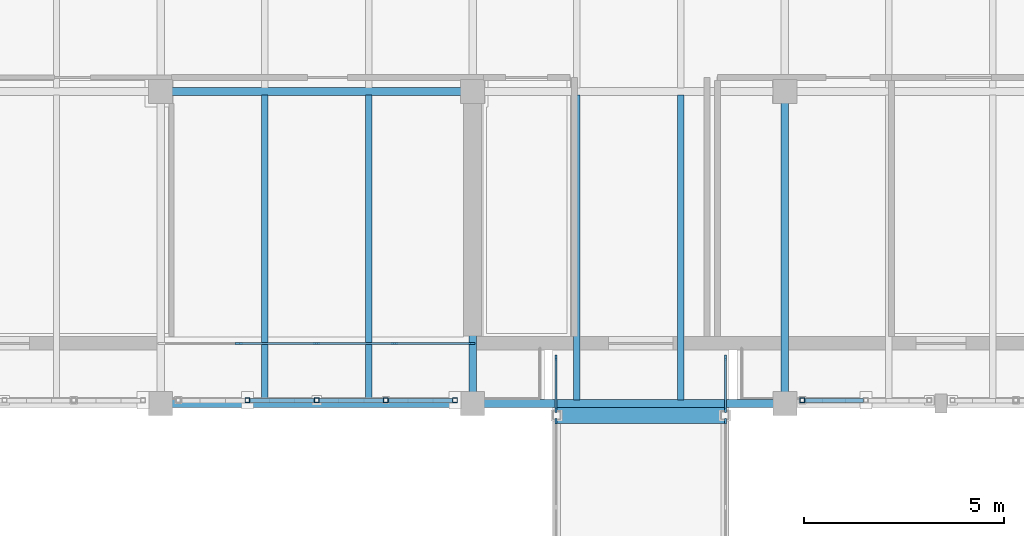
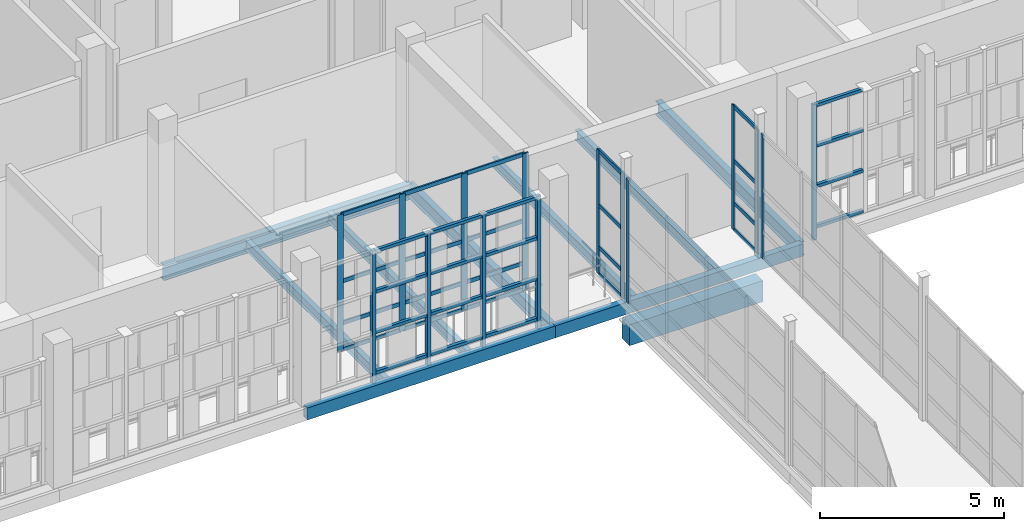
# One storey, part 54 of 138: 51 members, 10 beams, 5 elements without a shape of their own.
"""IFC4 building model written with IfcOpenShell, lengths in metres."""

from ifc_helpers import new_model, si_unit, direction, frame, origin, origin_2d, place, context, subcontext, project, spatial, rectangle, hollow_rectangle, i_section, extrude, material, layer, layer_set, material_profile, profile_set, type_object, element, aggregate, save


model = new_model("IFC4")

# Units and contexts
model_context = context("Model", 3, precision=1e-05, world=origin(), true_north=direction((0.0, 1.0)))
body_context = subcontext(model_context, "Body", "Model", "MODEL_VIEW")
ifc_project = project(units=[si_unit("LENGTHUNIT", "METRE"), si_unit("AREAUNIT", "SQUARE_METRE"), si_unit("VOLUMEUNIT", "CUBIC_METRE"), si_unit("PLANEANGLEUNIT", "RADIAN"), si_unit("MASSUNIT", "GRAM", prefix="KILO")], contexts=[model_context])

# Site, building, storey
site_placement = place(None, origin())
site = spatial("IfcSite", under=ifc_project, at=site_placement, CompositionType="ELEMENT")
building_placement = place(site_placement, origin())
building = spatial("IfcBuilding", under=site, at=building_placement, Name="Celorna Specialist Clinic", CompositionType="ELEMENT")
storey_placement = place(building_placement, frame((0.0, 0.0, 4.800048828125)))
storey = spatial("IfcBuildingStorey", under=building, at=storey_placement, Name="L01", CompositionType="ELEMENT", Elevation=4.800048828125)

# Beams
ifc_material_1 = material(Name="Steel S355", Category="steel")
ifc_material_profile_1 = material_profile(ifc_material_1, i_section(OverallWidth=0.199951171875, OverallDepth=0.5, WebThickness=0.01025390625, FlangeThickness=0.01611328125, at=origin_2d()), Name="IPE 500")
ifc_profile_set_1 = profile_set([ifc_material_profile_1], Name="Steel S355")
beam_type_1 = type_object("IfcBeamType", Name="BM-08", PredefinedType="BEAM", material=ifc_profile_set_1)
beam_1_placement = place(storey_placement, frame((62.39990234375, 104.300048828125, -0.510009765625), z_axis=(1.0, 0.0, 0.0), x_axis=(0.0, 1.0, 0.0)))
element("IfcBeam", 1, at=beam_1_placement, inside=storey, type_object=beam_type_1, Name="Primary girder BM-08 #887", PredefinedType="BEAM", context=body_context, shape_type="SweptSolid", body=[
    extrude(i_section(OverallWidth=0.199951171875, OverallDepth=0.5, WebThickness=0.01025390625, FlangeThickness=0.01611328125, at=origin_2d()), origin(), (0.0, 0.0, 1.0), 7.800048828125),
])
ifc_material_profile_2 = material_profile(ifc_material_1, i_section(OverallWidth=0.18994140625, OverallDepth=0.449951171875, WebThickness=0.009521484375, FlangeThickness=0.0146484375, at=origin_2d()), Name="IPE 450")
ifc_profile_set_2 = profile_set([ifc_material_profile_2], Name="Steel S355")
beam_type_2 = type_object("IfcBeamType", Name="BM-09", PredefinedType="BEAM", material=ifc_profile_set_2)
for number, where, z_axis, x_axis, name in (
    (2, (70.199951171875, 96.5, -0.485107421875), (0.0, 1.0, 0.0), (-1.0, 0.0, 0.0), "Transverse girder BM-09 #942"),
    (3, (78.0, 96.5, -0.485107421875), (0.0, 1.0, 0.0), (-1.0, 0.0, 0.0), "Transverse girder BM-09 #945"),
):
    element("IfcBeam", number, at=place(storey_placement, frame(where, z_axis=z_axis, x_axis=x_axis)), inside=storey, type_object=beam_type_2, Name=name, PredefinedType="BEAM", context=body_context, shape_type="SweptSolid", body=[
        extrude(i_section(OverallWidth=0.18994140625, OverallDepth=0.449951171875, WebThickness=0.009521484375, FlangeThickness=0.0146484375, at=origin_2d()), origin(), (0.0, 0.0, 1.0), 7.800048828125),
    ])
ifc_material_profile_3 = material_profile(ifc_material_1, i_section(OverallWidth=0.159912109375, OverallDepth=0.330078125, WebThickness=0.007568359375, FlangeThickness=0.011474609375, at=origin_2d()), Name="IPE 330")
ifc_profile_set_3 = profile_set([ifc_material_profile_3], Name="Steel S355")
beam_type_3 = type_object("IfcBeamType", Name="BM-12", PredefinedType="JOIST", material=ifc_profile_set_3)
for number, where, z_axis, x_axis, name in (
    (4, (65.0, 96.587890625, -0.425048828125), (0.0, 1.0, 0.0), (-1.0, 0.0, 0.0), "Secondary floor joist BM-12 #993"),
    (5, (67.60009765625, 96.587890625, -0.425048828125), (0.0, 1.0, 0.0), (-1.0, 0.0, 0.0), "Secondary floor joist BM-12 #994"),
    (6, (72.800048828125, 96.587890625, -0.425048828125), (0.0, 1.0, 0.0), (-1.0, 0.0, 0.0), "Secondary floor joist BM-12 #999"),
    (7, (75.39990234375, 96.587890625, -0.425048828125), (0.0, 1.0, 0.0), (-1.0, 0.0, 0.0), "Secondary floor joist BM-12 #1000"),
):
    element("IfcBeam", number, at=place(storey_placement, frame(where, z_axis=z_axis, x_axis=x_axis)), inside=storey, type_object=beam_type_3, Name=name, PredefinedType="JOIST", context=body_context, shape_type="SweptSolid", body=[
        extrude(i_section(OverallWidth=0.159912109375, OverallDepth=0.330078125, WebThickness=0.007568359375, FlangeThickness=0.011474609375, at=origin_2d()), origin(), (0.0, 0.0, 1.0), 7.6240234375),
    ])
ifc_material_profile_4 = material_profile(ifc_material_1, hollow_rectangle(XDim=0.199951171875, YDim=0.39990234375, WallThickness=0.011962890625, at=origin_2d()), Name="RHS 200x400x12")
ifc_profile_set_4 = profile_set([ifc_material_profile_4], Name="Steel S355")
beam_type_4 = type_object("IfcBeamType", Name="BM-15", PredefinedType="SPANDREL", material=ifc_profile_set_4)
for number, where, z_axis, x_axis, name in (
    (8, (62.39990234375, 96.5, -0.4599609375), (1.0, 0.0, 0.0), (0.0, 1.0, 0.0), "Spandrel beam BM-15 #871"),
    (9, (70.199951171875, 96.5, -0.4599609375), (1.0, 0.0, 0.0), (0.0, 1.0, 0.0), "Spandrel beam BM-15 #872"),
):
    element("IfcBeam", number, at=place(storey_placement, frame(where, z_axis=z_axis, x_axis=x_axis)), inside=storey, type_object=beam_type_4, Name=name, PredefinedType="SPANDREL", context=body_context, shape_type="SweptSolid", body=[
        extrude(hollow_rectangle(XDim=0.199951171875, YDim=0.39990234375, WallThickness=0.011962890625, at=origin_2d()), origin(), (0.0, 0.0, 1.0), 7.800048828125),
    ])
ifc_material_2 = material(Name="Concrete C35/45", Category="concrete")
ifc_material_profile_5 = material_profile(ifc_material_2, rectangle(XDim=0.39990234375, YDim=0.699951171875, at=origin_2d()), Name="RC 400x700")
ifc_profile_set_5 = profile_set([ifc_material_profile_5], Name="Concrete C35/45")
beam_type_5 = type_object("IfcBeamType", Name="BM-19", PredefinedType="BEAM", material=ifc_profile_set_5)
beam_2_placement = place(storey_placement, frame((72.300048828125, 96.199951171875, -1.06494140625), z_axis=(1.0, 0.0, 0.0), x_axis=(0.0, 1.0, 0.0)))
element("IfcBeam", 10, at=beam_2_placement, inside=storey, type_object=beam_type_5, Name="Seismic joint bridge corbel beam BR-04 BM-19 #102", PredefinedType="BEAM", context=body_context, shape_type="SweptSolid", body=[
    extrude(rectangle(XDim=0.39990234375, YDim=0.699951171875, at=origin_2d()), origin(), (0.0, 0.0, 1.0), 4.199951171875),
])

# Members
ifc_material_profile_6 = material_profile(ifc_material_1, hollow_rectangle(XDim=0.1201171875, YDim=0.1201171875, WallThickness=0.008056640625, at=origin_2d()), Name="SHS 120x120x8")
ifc_profile_set_6 = profile_set([ifc_material_profile_6], Name="Steel S355")
member_type_1 = type_object("IfcMemberType", Name="MB-11", PredefinedType="STUD", material=ifc_profile_set_6)
for number, where, z_axis, x_axis, name in (
    (11, (64.570068359375, 96.580078125, -0.360107421875), (0.0, 0.0, 1.0), (1.0, 0.0, 0.0), "Perforated screen steel post #751"),
    (12, (66.300048828125, 96.580078125, -0.360107421875), (0.0, 0.0, 1.0), (1.0, 0.0, 0.0), "Perforated screen steel post #752"),
    (13, (68.030029296875, 96.580078125, -0.360107421875), (0.0, 0.0, 1.0), (1.0, 0.0, 0.0), "Perforated screen steel post #753"),
    (14, (69.760009765625, 96.580078125, -0.360107421875), (0.0, 0.0, 1.0), (1.0, 0.0, 0.0), "Perforated screen steel post #754"),
    (15, (78.43994140625, 96.580078125, -0.360107421875), (0.0, 0.0, 1.0), (1.0, 0.0, 0.0), "Perforated screen steel post #771"),
):
    element("IfcMember", number, at=place(storey_placement, frame(where, z_axis=z_axis, x_axis=x_axis)), inside=storey, type_object=member_type_1, Name=name, PredefinedType="STUD", context=body_context, shape_type="SweptSolid", body=[
        extrude(hollow_rectangle(XDim=0.1201171875, YDim=0.1201171875, WallThickness=0.008056640625, at=origin_2d()), origin(), (0.0, 0.0, 1.0), 4.5),
    ])
ifc_material_profile_7 = material_profile(ifc_material_1, hollow_rectangle(XDim=0.10009765625, YDim=0.10009765625, WallThickness=0.006103515625, at=origin_2d()), Name="SHS 100x100x6")
ifc_profile_set_7 = profile_set([ifc_material_profile_7], Name="Steel S355")
member_type_2 = type_object("IfcMemberType", Name="MB-12", PredefinedType="STUD", material=ifc_profile_set_7)
for number, where, z_axis, x_axis, name in (
    (16, (64.6298828125, 96.580078125, 0.050048828125), (1.0, 0.0, 0.0), (0.0, 1.0, 0.0), "Perforated screen rail #759"),
    (17, (64.6298828125, 96.580078125, 1.396728515625), (1.0, 0.0, 0.0), (0.0, 1.0, 0.0), "Perforated screen rail #760"),
    (18, (64.6298828125, 96.580078125, 2.7431640625), (1.0, 0.0, 0.0), (0.0, 1.0, 0.0), "Perforated screen rail #761"),
    (19, (64.6298828125, 96.580078125, 4.08984375), (1.0, 0.0, 0.0), (0.0, 1.0, 0.0), "Perforated screen rail #762"),
):
    element("IfcMember", number, at=place(storey_placement, frame(where, z_axis=z_axis, x_axis=x_axis)), inside=storey, type_object=member_type_2, Name=name, PredefinedType="STUD", context=body_context, shape_type="SweptSolid", body=[
        extrude(hollow_rectangle(XDim=0.10009765625, YDim=0.10009765625, WallThickness=0.006103515625, at=origin_2d()), origin(), (0.0, 0.0, 1.0), 1.610107421875),
    ])
for number, where, z_axis, x_axis, name in (
    (20, (66.360107421875, 96.580078125, 0.050048828125), (1.0, 0.0, 0.0), (0.0, 1.0, 0.0), "Perforated screen rail #763"),
    (21, (66.360107421875, 96.580078125, 1.396728515625), (1.0, 0.0, 0.0), (0.0, 1.0, 0.0), "Perforated screen rail #764"),
    (22, (66.360107421875, 96.580078125, 2.7431640625), (1.0, 0.0, 0.0), (0.0, 1.0, 0.0), "Perforated screen rail #765"),
    (23, (66.360107421875, 96.580078125, 4.08984375), (1.0, 0.0, 0.0), (0.0, 1.0, 0.0), "Perforated screen rail #766"),
    (24, (68.090087890625, 96.580078125, 0.050048828125), (1.0, 0.0, 0.0), (0.0, 1.0, 0.0), "Perforated screen rail #767"),
    (25, (68.090087890625, 96.580078125, 1.396728515625), (1.0, 0.0, 0.0), (0.0, 1.0, 0.0), "Perforated screen rail #768"),
    (26, (68.090087890625, 96.580078125, 2.7431640625), (1.0, 0.0, 0.0), (0.0, 1.0, 0.0), "Perforated screen rail #769"),
    (27, (68.090087890625, 96.580078125, 4.08984375), (1.0, 0.0, 0.0), (0.0, 1.0, 0.0), "Perforated screen rail #770"),
):
    element("IfcMember", number, at=place(storey_placement, frame(where, z_axis=z_axis, x_axis=x_axis)), inside=storey, type_object=member_type_2, Name=name, PredefinedType="STUD", context=body_context, shape_type="SweptSolid", body=[
        extrude(hollow_rectangle(XDim=0.10009765625, YDim=0.10009765625, WallThickness=0.006103515625, at=origin_2d()), origin(), (0.0, 0.0, 1.0), 1.60986328125),
    ])
for number, where, z_axis, x_axis, name in (
    (28, (78.5, 96.580078125, 0.050048828125), (1.0, 0.0, 0.0), (0.0, 1.0, 0.0), "Perforated screen rail #774"),
    (29, (78.5, 96.580078125, 1.396728515625), (1.0, 0.0, 0.0), (0.0, 1.0, 0.0), "Perforated screen rail #775"),
    (30, (78.5, 96.580078125, 2.7431640625), (1.0, 0.0, 0.0), (0.0, 1.0, 0.0), "Perforated screen rail #776"),
    (31, (78.5, 96.580078125, 4.08984375), (1.0, 0.0, 0.0), (0.0, 1.0, 0.0), "Perforated screen rail #777"),
):
    element("IfcMember", number, at=place(storey_placement, frame(where, z_axis=z_axis, x_axis=x_axis)), inside=storey, type_object=member_type_2, Name=name, PredefinedType="STUD", context=body_context, shape_type="SweptSolid", body=[
        extrude(hollow_rectangle(XDim=0.10009765625, YDim=0.10009765625, WallThickness=0.006103515625, at=origin_2d()), origin(), (0.0, 0.0, 1.0), 1.465087890625),
    ])

# Curtain wall, members
ifc_material_3 = material(Name="Thermally broken aluminium and solar-control glass curtain wall", Category="aluminium")
ifc_layer_1 = layer(ifc_material_3, 0.159912109375, Name="Thermally broken aluminium and solar-control glass curtain wall")
ifc_layer_set_1 = layer_set([ifc_layer_1], Name="Thermally broken aluminium and solar-control glass curtain wall")
curtain_wall_type_1 = type_object("IfcCurtainWallType", Name="CW-26", PredefinedType="NOTDEFINED", material=ifc_layer_set_1)
curtain_wall_1_placement = place(storey_placement, origin())
curtain_wall_1 = element("IfcCurtainWall", 32, at=curtain_wall_1_placement, inside=storey, type_object=curtain_wall_type_1, Name="Curtain wall CW-26 #104", PredefinedType="NOTDEFINED")
ifc_material_4 = material(Name="Anodized aluminium mullion", Category="aluminium")
ifc_material_profile_8 = material_profile(ifc_material_4, rectangle(XDim=0.050048828125, YDim=0.179931640625, at=origin_2d()), Name="ALU MULLION 50x180")
ifc_profile_set_8 = profile_set([ifc_material_profile_8], Name="Anodized aluminium mullion")
member_type_3 = type_object("IfcMemberType", Name="ML-02", PredefinedType="MULLION", material=ifc_profile_set_8)
member_1_placement = place(storey_placement, frame((70.1708984375, 98.0, 0.0), z_axis=(0.0, 0.0, 1.0), x_axis=(0.0, -1.0, 0.0)))
member_1 = element("IfcMember", 33, at=member_1_placement, type_object=member_type_3, Name="CW-26 mullion 1", PredefinedType="MULLION", context=body_context, shape_type="SweptSolid", body=[
    extrude(rectangle(XDim=0.050048828125, YDim=0.179931640625, at=origin_2d()), origin(), (0.0, 0.0, 1.0), 4.5400390625),
])
member_2_placement = place(storey_placement, frame((68.248046875, 98.0, 0.0), z_axis=(0.0, 0.0, 1.0), x_axis=(0.0, -1.0, 0.0)))
member_2 = element("IfcMember", 34, at=member_2_placement, type_object=member_type_3, Name="CW-26 mullion 2", PredefinedType="MULLION", context=body_context, shape_type="SweptSolid", body=[
    extrude(rectangle(XDim=0.050048828125, YDim=0.179931640625, at=origin_2d()), origin(), (0.0, 0.0, 1.0), 4.5400390625),
])
member_3_placement = place(storey_placement, frame((66.300048828125, 98.0, 0.0), z_axis=(0.0, 0.0, 1.0), x_axis=(0.0, -1.0, 0.0)))
member_3 = element("IfcMember", 35, at=member_3_placement, type_object=member_type_3, Name="CW-26 mullion 3", PredefinedType="MULLION", context=body_context, shape_type="SweptSolid", body=[
    extrude(rectangle(XDim=0.050048828125, YDim=0.179931640625, at=origin_2d()), origin(), (0.0, 0.0, 1.0), 4.5400390625),
])
member_4_placement = place(storey_placement, frame((64.35205078125, 98.0, 0.0), z_axis=(0.0, 0.0, 1.0), x_axis=(0.0, -1.0, 0.0)))
member_4 = element("IfcMember", 36, at=member_4_placement, type_object=member_type_3, Name="CW-26 mullion 4", PredefinedType="MULLION", context=body_context, shape_type="SweptSolid", body=[
    extrude(rectangle(XDim=0.050048828125, YDim=0.179931640625, at=origin_2d()), origin(), (0.0, 0.0, 1.0), 4.5400390625),
])

# Curtain wall, member
ifc_layer_2 = layer(ifc_material_3, 0.159912109375, Name="Thermally broken aluminium and solar-control glass curtain wall")
ifc_layer_set_2 = layer_set([ifc_layer_2], Name="Thermally broken aluminium and solar-control glass curtain wall")
curtain_wall_type_2 = type_object("IfcCurtainWallType", Name="CW-114", PredefinedType="NOTDEFINED", material=ifc_layer_set_2)
curtain_wall_2_placement = place(storey_placement, origin())
curtain_wall_2 = element("IfcCurtainWall", 37, at=curtain_wall_2_placement, inside=storey, type_object=curtain_wall_type_2, Name="Curtain wall CW-114 #211", PredefinedType="NOTDEFINED")
ifc_material_profile_9 = material_profile(ifc_material_4, rectangle(XDim=0.050048828125, YDim=0.139892578125, at=origin_2d()), Name="ALU MULLION 50x140")
ifc_profile_set_9 = profile_set([ifc_material_profile_9], Name="Anodized aluminium mullion")
member_type_4 = type_object("IfcMemberType", Name="ML-03", PredefinedType="MULLION", material=ifc_profile_set_9)
member_5_placement = place(storey_placement, frame((72.280029296875, 96.054931640625, 0.0), z_axis=(0.0, 0.0, 1.0), x_axis=(-1.0, 0.0, 0.0)))
member_5 = element("IfcMember", 38, at=member_5_placement, type_object=member_type_4, Name="CW-114 mullion 5", PredefinedType="MULLION", context=body_context, shape_type="SweptSolid", body=[
    extrude(rectangle(XDim=0.050048828125, YDim=0.139892578125, at=origin_2d()), origin(), (0.0, 0.0, 1.0), 4.1298828125),
])
aggregate(curtain_wall_2, [member_5])

# Curtain wall, members
ifc_layer_3 = layer(ifc_material_3, 0.159912109375, Name="Thermally broken aluminium and solar-control glass curtain wall")
ifc_layer_set_3 = layer_set([ifc_layer_3], Name="Thermally broken aluminium and solar-control glass curtain wall")
curtain_wall_type_3 = type_object("IfcCurtainWallType", Name="CW-115", PredefinedType="NOTDEFINED", material=ifc_layer_set_3)
curtain_wall_3_placement = place(storey_placement, origin())
curtain_wall_3 = element("IfcCurtainWall", 39, at=curtain_wall_3_placement, inside=storey, type_object=curtain_wall_type_3, Name="Curtain wall CW-115 #212", PredefinedType="NOTDEFINED")
member_6_placement = place(storey_placement, frame((72.280029296875, 96.344970703125, 0.0), z_axis=(0.0, 0.0, 1.0), x_axis=(-1.0, 0.0, 0.0)))
member_6 = element("IfcMember", 40, at=member_6_placement, type_object=member_type_4, Name="CW-115 mullion 1", PredefinedType="MULLION", context=body_context, shape_type="SweptSolid", body=[
    extrude(rectangle(XDim=0.050048828125, YDim=0.139892578125, at=origin_2d()), origin(), (0.0, 0.0, 1.0), 4.1298828125),
])
member_7_placement = place(storey_placement, frame((72.280029296875, 97.64501953125, 0.0), z_axis=(0.0, 0.0, 1.0), x_axis=(-1.0, 0.0, 0.0)))
member_7 = element("IfcMember", 41, at=member_7_placement, type_object=member_type_4, Name="CW-115 mullion 2", PredefinedType="MULLION", context=body_context, shape_type="SweptSolid", body=[
    extrude(rectangle(XDim=0.050048828125, YDim=0.139892578125, at=origin_2d()), origin(), (0.0, 0.0, 1.0), 4.1298828125),
])

curtain_wall_4_placement = place(storey_placement, origin())
curtain_wall_4 = element("IfcCurtainWall", 42, at=curtain_wall_4_placement, inside=storey, type_object=curtain_wall_type_3, Name="Curtain wall CW-115 #213", PredefinedType="NOTDEFINED")
member_8_placement = place(storey_placement, frame((76.52001953125, 97.64501953125, 0.0), z_axis=(0.0, 0.0, 1.0), x_axis=(1.0, 0.0, 0.0)))
member_8 = element("IfcMember", 43, at=member_8_placement, type_object=member_type_4, Name="CW-115 mullion 1", PredefinedType="MULLION", context=body_context, shape_type="SweptSolid", body=[
    extrude(rectangle(XDim=0.050048828125, YDim=0.139892578125, at=origin_2d()), origin(), (0.0, 0.0, 1.0), 4.1298828125),
])
member_9_placement = place(storey_placement, frame((76.52001953125, 96.344970703125, 0.0), z_axis=(0.0, 0.0, 1.0), x_axis=(1.0, 0.0, 0.0)))
member_9 = element("IfcMember", 44, at=member_9_placement, type_object=member_type_4, Name="CW-115 mullion 2", PredefinedType="MULLION", context=body_context, shape_type="SweptSolid", body=[
    extrude(rectangle(XDim=0.050048828125, YDim=0.139892578125, at=origin_2d()), origin(), (0.0, 0.0, 1.0), 4.1298828125),
])

# Curtain wall, member
curtain_wall_5_placement = place(storey_placement, origin())
curtain_wall_5 = element("IfcCurtainWall", 45, at=curtain_wall_5_placement, inside=storey, type_object=curtain_wall_type_2, Name="Curtain wall CW-114 #214", PredefinedType="NOTDEFINED")
member_10_placement = place(storey_placement, frame((76.52001953125, 96.054931640625, 0.0), z_axis=(0.0, 0.0, 1.0), x_axis=(1.0, 0.0, 0.0)))
member_10 = element("IfcMember", 46, at=member_10_placement, type_object=member_type_4, Name="CW-114 mullion 1", PredefinedType="MULLION", context=body_context, shape_type="SweptSolid", body=[
    extrude(rectangle(XDim=0.050048828125, YDim=0.139892578125, at=origin_2d()), origin(), (0.0, 0.0, 1.0), 4.1298828125),
])
aggregate(curtain_wall_5, [member_10])

# Member
ifc_material_5 = material(Name="Anodized aluminium transom", Category="aluminium")
ifc_material_profile_10 = material_profile(ifc_material_5, rectangle(XDim=0.050048828125, YDim=0.1298828125, at=origin_2d()), Name="ALU TRANSOM 50x130")
ifc_profile_set_10 = profile_set([ifc_material_profile_10], Name="Anodized aluminium transom")
member_type_5 = type_object("IfcMemberType", Name="TR-01", PredefinedType="USERDEFINED", material=ifc_profile_set_10)
member_11_placement = place(storey_placement, frame((70.14599609375, 98.0, 0.02490234375), z_axis=(-1.0, 0.0, 0.0), x_axis=(0.0, -1.0, 0.0)))
member_11 = element("IfcMember", 47, at=member_11_placement, type_object=member_type_5, Name="CW-26 transom 1.1", ObjectType="TRANSOM", PredefinedType="USERDEFINED", context=body_context, shape_type="SweptSolid", body=[
    extrude(rectangle(XDim=0.050048828125, YDim=0.1298828125, at=origin_2d()), origin(), (0.0, 0.0, 1.0), 1.873046875),
])

member_12_placement = place(storey_placement, frame((70.14599609375, 98.0, 0.89990234375), z_axis=(-1.0, 0.0, 0.0), x_axis=(0.0, -1.0, 0.0)))
member_12 = element("IfcMember", 48, at=member_12_placement, type_object=member_type_5, Name="CW-26 transom 1.2", ObjectType="TRANSOM", PredefinedType="USERDEFINED", context=body_context, shape_type="SweptSolid", body=[
    extrude(rectangle(XDim=0.050048828125, YDim=0.1298828125, at=origin_2d()), origin(), (0.0, 0.0, 1.0), 1.873046875),
])

member_13_placement = place(storey_placement, frame((70.14599609375, 98.0, 2.300048828125), z_axis=(-1.0, 0.0, 0.0), x_axis=(0.0, -1.0, 0.0)))
member_13 = element("IfcMember", 49, at=member_13_placement, type_object=member_type_5, Name="CW-26 transom 1.3", ObjectType="TRANSOM", PredefinedType="USERDEFINED", context=body_context, shape_type="SweptSolid", body=[
    extrude(rectangle(XDim=0.050048828125, YDim=0.1298828125, at=origin_2d()), origin(), (0.0, 0.0, 1.0), 1.873046875),
])

member_14_placement = place(storey_placement, frame((70.14599609375, 98.0, 4.514892578125), z_axis=(-1.0, 0.0, 0.0), x_axis=(0.0, -1.0, 0.0)))
member_14 = element("IfcMember", 50, at=member_14_placement, type_object=member_type_5, Name="CW-26 transom 1.4", ObjectType="TRANSOM", PredefinedType="USERDEFINED", context=body_context, shape_type="SweptSolid", body=[
    extrude(rectangle(XDim=0.050048828125, YDim=0.1298828125, at=origin_2d()), origin(), (0.0, 0.0, 1.0), 1.873046875),
])

member_15_placement = place(storey_placement, frame((68.222900390625, 98.0, 0.02490234375), z_axis=(-1.0, 0.0, 0.0), x_axis=(0.0, -1.0, 0.0)))
member_15 = element("IfcMember", 51, at=member_15_placement, type_object=member_type_5, Name="CW-26 transom 2.1", ObjectType="TRANSOM", PredefinedType="USERDEFINED", context=body_context, shape_type="SweptSolid", body=[
    extrude(rectangle(XDim=0.050048828125, YDim=0.1298828125, at=origin_2d()), origin(), (0.0, 0.0, 1.0), 1.89794921875),
])

member_16_placement = place(storey_placement, frame((68.222900390625, 98.0, 0.89990234375), z_axis=(-1.0, 0.0, 0.0), x_axis=(0.0, -1.0, 0.0)))
member_16 = element("IfcMember", 52, at=member_16_placement, type_object=member_type_5, Name="CW-26 transom 2.2", ObjectType="TRANSOM", PredefinedType="USERDEFINED", context=body_context, shape_type="SweptSolid", body=[
    extrude(rectangle(XDim=0.050048828125, YDim=0.1298828125, at=origin_2d()), origin(), (0.0, 0.0, 1.0), 1.89794921875),
])

member_17_placement = place(storey_placement, frame((68.222900390625, 98.0, 2.300048828125), z_axis=(-1.0, 0.0, 0.0), x_axis=(0.0, -1.0, 0.0)))
member_17 = element("IfcMember", 53, at=member_17_placement, type_object=member_type_5, Name="CW-26 transom 2.3", ObjectType="TRANSOM", PredefinedType="USERDEFINED", context=body_context, shape_type="SweptSolid", body=[
    extrude(rectangle(XDim=0.050048828125, YDim=0.1298828125, at=origin_2d()), origin(), (0.0, 0.0, 1.0), 1.89794921875),
])

member_18_placement = place(storey_placement, frame((68.222900390625, 98.0, 4.514892578125), z_axis=(-1.0, 0.0, 0.0), x_axis=(0.0, -1.0, 0.0)))
member_18 = element("IfcMember", 54, at=member_18_placement, type_object=member_type_5, Name="CW-26 transom 2.4", ObjectType="TRANSOM", PredefinedType="USERDEFINED", context=body_context, shape_type="SweptSolid", body=[
    extrude(rectangle(XDim=0.050048828125, YDim=0.1298828125, at=origin_2d()), origin(), (0.0, 0.0, 1.0), 1.89794921875),
])

member_19_placement = place(storey_placement, frame((66.27490234375, 98.0, 0.02490234375), z_axis=(-1.0, 0.0, 0.0), x_axis=(0.0, -1.0, 0.0)))
member_19 = element("IfcMember", 55, at=member_19_placement, type_object=member_type_5, Name="CW-26 transom 3.1", ObjectType="TRANSOM", PredefinedType="USERDEFINED", context=body_context, shape_type="SweptSolid", body=[
    extrude(rectangle(XDim=0.050048828125, YDim=0.1298828125, at=origin_2d()), origin(), (0.0, 0.0, 1.0), 1.89794921875),
])

member_20_placement = place(storey_placement, frame((66.27490234375, 98.0, 0.89990234375), z_axis=(-1.0, 0.0, 0.0), x_axis=(0.0, -1.0, 0.0)))
member_20 = element("IfcMember", 56, at=member_20_placement, type_object=member_type_5, Name="CW-26 transom 3.2", ObjectType="TRANSOM", PredefinedType="USERDEFINED", context=body_context, shape_type="SweptSolid", body=[
    extrude(rectangle(XDim=0.050048828125, YDim=0.1298828125, at=origin_2d()), origin(), (0.0, 0.0, 1.0), 1.89794921875),
])

member_21_placement = place(storey_placement, frame((66.27490234375, 98.0, 2.300048828125), z_axis=(-1.0, 0.0, 0.0), x_axis=(0.0, -1.0, 0.0)))
member_21 = element("IfcMember", 57, at=member_21_placement, type_object=member_type_5, Name="CW-26 transom 3.3", ObjectType="TRANSOM", PredefinedType="USERDEFINED", context=body_context, shape_type="SweptSolid", body=[
    extrude(rectangle(XDim=0.050048828125, YDim=0.1298828125, at=origin_2d()), origin(), (0.0, 0.0, 1.0), 1.89794921875),
])

member_22_placement = place(storey_placement, frame((66.27490234375, 98.0, 4.514892578125), z_axis=(-1.0, 0.0, 0.0), x_axis=(0.0, -1.0, 0.0)))
member_22 = element("IfcMember", 58, at=member_22_placement, type_object=member_type_5, Name="CW-26 transom 3.4", ObjectType="TRANSOM", PredefinedType="USERDEFINED", context=body_context, shape_type="SweptSolid", body=[
    extrude(rectangle(XDim=0.050048828125, YDim=0.1298828125, at=origin_2d()), origin(), (0.0, 0.0, 1.0), 1.89794921875),
])

aggregate(curtain_wall_1, [member_1, member_2, member_3, member_4, member_11, member_12, member_13, member_14, member_15, member_16, member_17, member_18, member_19, member_20, member_21, member_22])

member_23_placement = place(storey_placement, frame((72.280029296875, 96.3701171875, 0.02490234375), z_axis=(0.0, 1.0, 0.0), x_axis=(-1.0, 0.0, 0.0)))
member_23 = element("IfcMember", 59, at=member_23_placement, type_object=member_type_5, Name="CW-115 transom 1.1", ObjectType="TRANSOM", PredefinedType="USERDEFINED", context=body_context, shape_type="SweptSolid", body=[
    extrude(rectangle(XDim=0.050048828125, YDim=0.1298828125, at=origin_2d()), origin(), (0.0, 0.0, 1.0), 1.25),
])

member_24_placement = place(storey_placement, frame((72.280029296875, 96.3701171875, 0.89990234375), z_axis=(0.0, 1.0, 0.0), x_axis=(-1.0, 0.0, 0.0)))
member_24 = element("IfcMember", 60, at=member_24_placement, type_object=member_type_5, Name="CW-115 transom 1.2", ObjectType="TRANSOM", PredefinedType="USERDEFINED", context=body_context, shape_type="SweptSolid", body=[
    extrude(rectangle(XDim=0.050048828125, YDim=0.1298828125, at=origin_2d()), origin(), (0.0, 0.0, 1.0), 1.25),
])

member_25_placement = place(storey_placement, frame((72.280029296875, 96.3701171875, 2.300048828125), z_axis=(0.0, 1.0, 0.0), x_axis=(-1.0, 0.0, 0.0)))
member_25 = element("IfcMember", 61, at=member_25_placement, type_object=member_type_5, Name="CW-115 transom 1.3", ObjectType="TRANSOM", PredefinedType="USERDEFINED", context=body_context, shape_type="SweptSolid", body=[
    extrude(rectangle(XDim=0.050048828125, YDim=0.1298828125, at=origin_2d()), origin(), (0.0, 0.0, 1.0), 1.25),
])

member_26_placement = place(storey_placement, frame((72.280029296875, 96.3701171875, 4.10498046875), z_axis=(0.0, 1.0, 0.0), x_axis=(-1.0, 0.0, 0.0)))
member_26 = element("IfcMember", 62, at=member_26_placement, type_object=member_type_5, Name="CW-115 transom 1.4", ObjectType="TRANSOM", PredefinedType="USERDEFINED", context=body_context, shape_type="SweptSolid", body=[
    extrude(rectangle(XDim=0.050048828125, YDim=0.1298828125, at=origin_2d()), origin(), (0.0, 0.0, 1.0), 1.25),
])

aggregate(curtain_wall_3, [member_6, member_7, member_23, member_24, member_25, member_26])

member_27_placement = place(storey_placement, frame((76.52001953125, 97.6201171875, 0.02490234375), z_axis=(0.0, -1.0, 0.0), x_axis=(1.0, 0.0, 0.0)))
member_27 = element("IfcMember", 63, at=member_27_placement, type_object=member_type_5, Name="CW-115 transom 1.1", ObjectType="TRANSOM", PredefinedType="USERDEFINED", context=body_context, shape_type="SweptSolid", body=[
    extrude(rectangle(XDim=0.050048828125, YDim=0.1298828125, at=origin_2d()), origin(), (0.0, 0.0, 1.0), 1.25),
])

member_28_placement = place(storey_placement, frame((76.52001953125, 97.6201171875, 0.89990234375), z_axis=(0.0, -1.0, 0.0), x_axis=(1.0, 0.0, 0.0)))
member_28 = element("IfcMember", 64, at=member_28_placement, type_object=member_type_5, Name="CW-115 transom 1.2", ObjectType="TRANSOM", PredefinedType="USERDEFINED", context=body_context, shape_type="SweptSolid", body=[
    extrude(rectangle(XDim=0.050048828125, YDim=0.1298828125, at=origin_2d()), origin(), (0.0, 0.0, 1.0), 1.25),
])

member_29_placement = place(storey_placement, frame((76.52001953125, 97.6201171875, 2.300048828125), z_axis=(0.0, -1.0, 0.0), x_axis=(1.0, 0.0, 0.0)))
member_29 = element("IfcMember", 65, at=member_29_placement, type_object=member_type_5, Name="CW-115 transom 1.3", ObjectType="TRANSOM", PredefinedType="USERDEFINED", context=body_context, shape_type="SweptSolid", body=[
    extrude(rectangle(XDim=0.050048828125, YDim=0.1298828125, at=origin_2d()), origin(), (0.0, 0.0, 1.0), 1.25),
])

member_30_placement = place(storey_placement, frame((76.52001953125, 97.6201171875, 4.10498046875), z_axis=(0.0, -1.0, 0.0), x_axis=(1.0, 0.0, 0.0)))
member_30 = element("IfcMember", 66, at=member_30_placement, type_object=member_type_5, Name="CW-115 transom 1.4", ObjectType="TRANSOM", PredefinedType="USERDEFINED", context=body_context, shape_type="SweptSolid", body=[
    extrude(rectangle(XDim=0.050048828125, YDim=0.1298828125, at=origin_2d()), origin(), (0.0, 0.0, 1.0), 1.25),
])

aggregate(curtain_wall_4, [member_8, member_9, member_27, member_28, member_29, member_30])

save(model, "model.ifc")
